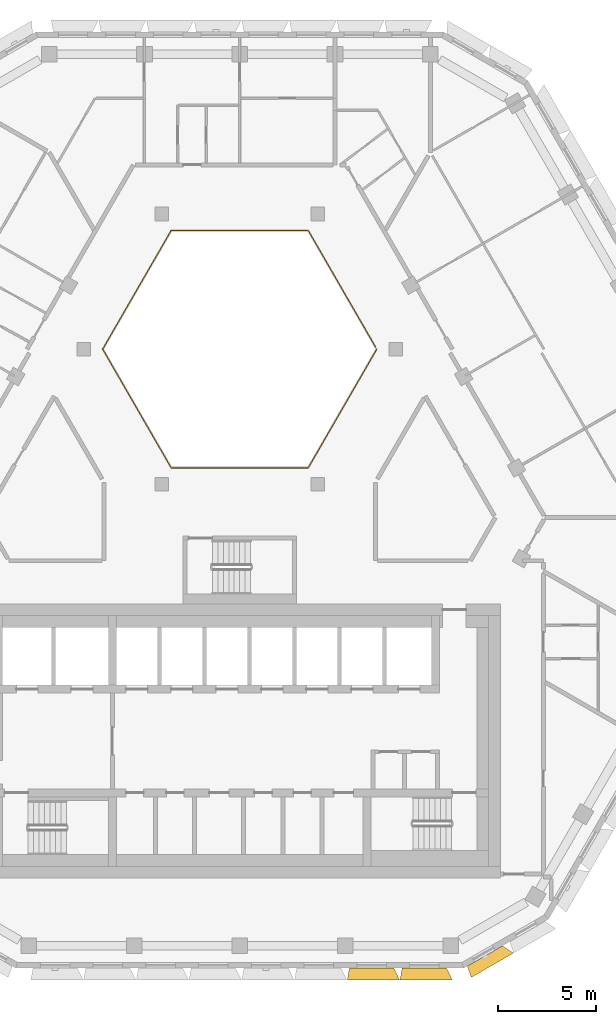
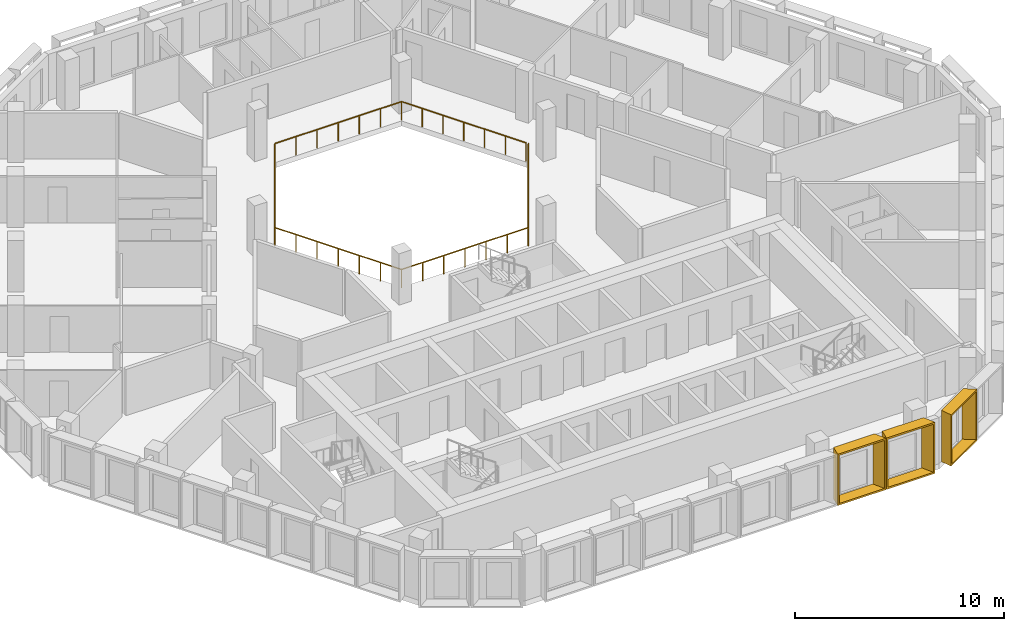
# One storey, part 15 of 17: 3 shading devices, 1 railing.
"""IFC4 building model written with IfcOpenShell, lengths in metres."""

from ifc_helpers import new_model, entity, si_unit, direction, frame, origin, origin_2d, place, context, subcontext, project, spatial, rectangle, extrude, source, transform, mapped, material, type_object, type_shapes, element, save


model = new_model("IFC4")

# Units and contexts
model_context = context("Model", 3, precision=1e-05, world=origin(), true_north=direction((0.0, 1.0)))
body_context = subcontext(model_context, "Body", "Model", "MODEL_VIEW")
ifc_project = project(units=[si_unit("LENGTHUNIT", "METRE"), si_unit("AREAUNIT", "SQUARE_METRE"), si_unit("VOLUMEUNIT", "CUBIC_METRE"), si_unit("PLANEANGLEUNIT", "RADIAN"), si_unit("MASSUNIT", "GRAM", prefix="KILO")], contexts=[model_context])

# Site, building, storey
site_placement = place(None, origin())
site = spatial("IfcSite", under=ifc_project, at=site_placement, CompositionType="ELEMENT")
building_placement = place(site_placement, origin())
building = spatial("IfcBuilding", under=site, at=building_placement, Name="Beryl Residences", CompositionType="ELEMENT")
storey_placement = place(building_placement, frame((0.0, 0.0, 172.199951171875)))
storey = spatial("IfcBuildingStorey", under=building, at=storey_placement, Name="L52", CompositionType="ELEMENT", Elevation=172.199951171875)

# Railing
ifc_material_1 = material(Name="Stainless steel balustrade with glass infill", Category="steel")
railing_type = type_object("IfcRailingType", Name="EG1 edge guard 1100 mm", PredefinedType="GUARDRAIL", material=ifc_material_1)
railing_placement = place(storey_placement, frame((6.9970703125, 8.0, 0.0)))
element("IfcRailing", 1, at=railing_placement, inside=storey, type_object=railing_type, Name="L52 atrium guard", PredefinedType="GUARDRAIL", context=body_context, shape_type="SweptSolid", body=[
    extrude(rectangle(XDim=0.048095703125, YDim=0.048095703125, at=origin_2d()), frame((0.0, 0.0, 1.076171875), z_axis=(-0.499921796684, -0.866070549782, 0.0), x_axis=(0.866070549782, -0.499921796684, 0.0)), (0.0, 0.0, 1.0), 6.9970703125),
    extrude(rectangle(XDim=0.048095703125, YDim=0.048095703125, at=origin_2d()), frame((-3.498046875, -6.06005859375, 1.076171875), z_axis=(-1.0, 0.0, 0.0), x_axis=(0.0, -1.0, 0.0)), (0.0, 0.0, 1.0), 6.998046875),
    extrude(rectangle(XDim=0.048095703125, YDim=0.048095703125, at=origin_2d()), frame((-10.49609375, -6.06005859375, 1.076171875), z_axis=(-0.499921796684, 0.866070549782, 0.0), x_axis=(-0.866070549782, -0.499921796684, 0.0)), (0.0, 0.0, 1.0), 6.9970703125),
    extrude(rectangle(XDim=0.048095703125, YDim=0.048095703125, at=origin_2d()), frame((-13.994140625, 0.0, 1.076171875), z_axis=(0.499921796684, 0.866070549782, 0.0), x_axis=(-0.866070549782, 0.499921796684, 0.0)), (0.0, 0.0, 1.0), 6.9970703125),
    extrude(rectangle(XDim=0.048095703125, YDim=0.048095703125, at=origin_2d()), frame((-10.49609375, 6.06005859375, 1.076171875), z_axis=(1.0, 0.0, 0.0), x_axis=(0.0, 1.0, 0.0)), (0.0, 0.0, 1.0), 6.998046875),
    extrude(rectangle(XDim=0.048095703125, YDim=0.048095703125, at=origin_2d()), frame((-3.498046875, 6.06005859375, 1.076171875), z_axis=(0.499919131929, -0.866072087953, 0.0), x_axis=(0.866072087953, 0.499919131929, 0.0)), (0.0, 0.0, 1.0), 6.877197265625),
    extrude(rectangle(XDim=0.0419921875, YDim=0.0419921875, at=origin_2d()), origin(), (0.0, 0.0, 1.0), 1.052001953125),
    extrude(rectangle(XDim=0.0419921875, YDim=0.0419921875, at=origin_2d()), frame((-0.5830078125, -1.010009765625, 0.0)), (0.0, 0.0, 1.0), 1.052001953125),
    extrude(rectangle(XDim=0.0419921875, YDim=0.0419921875, at=origin_2d()), frame((-1.166015625, -2.02001953125, 0.0)), (0.0, 0.0, 1.0), 1.052001953125),
    extrude(rectangle(XDim=0.0419921875, YDim=0.0419921875, at=origin_2d()), frame((-1.7490234375, -3.030029296875, 0.0)), (0.0, 0.0, 1.0), 1.052001953125),
    extrude(rectangle(XDim=0.0419921875, YDim=0.0419921875, at=origin_2d()), frame((-2.33203125, -4.0400390625, 0.0)), (0.0, 0.0, 1.0), 1.052001953125),
    extrude(rectangle(XDim=0.0419921875, YDim=0.0419921875, at=origin_2d()), frame((-2.9150390625, -5.050048828125, 0.0)), (0.0, 0.0, 1.0), 1.052001953125),
    extrude(rectangle(XDim=0.0419921875, YDim=0.0419921875, at=origin_2d()), frame((-3.498046875, -6.06005859375, 0.0)), (0.0, 0.0, 1.0), 1.052001953125),
    extrude(rectangle(XDim=0.0419921875, YDim=0.0419921875, at=origin_2d()), frame((-4.664306640625, -6.06005859375, 0.0)), (0.0, 0.0, 1.0), 1.052001953125),
    extrude(rectangle(XDim=0.0419921875, YDim=0.0419921875, at=origin_2d()), frame((-5.830810546875, -6.06005859375, 0.0)), (0.0, 0.0, 1.0), 1.052001953125),
    extrude(rectangle(XDim=0.0419921875, YDim=0.0419921875, at=origin_2d()), frame((-6.9970703125, -6.06005859375, 0.0)), (0.0, 0.0, 1.0), 1.052001953125),
    extrude(rectangle(XDim=0.0419921875, YDim=0.0419921875, at=origin_2d()), frame((-8.163330078125, -6.06005859375, 0.0)), (0.0, 0.0, 1.0), 1.052001953125),
    extrude(rectangle(XDim=0.0419921875, YDim=0.0419921875, at=origin_2d()), frame((-9.329833984375, -6.06005859375, 0.0)), (0.0, 0.0, 1.0), 1.052001953125),
    extrude(rectangle(XDim=0.0419921875, YDim=0.0419921875, at=origin_2d()), frame((-10.49609375, -6.06005859375, 0.0)), (0.0, 0.0, 1.0), 1.052001953125),
    extrude(rectangle(XDim=0.0419921875, YDim=0.0419921875, at=origin_2d()), frame((-11.0791015625, -5.050048828125, 0.0)), (0.0, 0.0, 1.0), 1.052001953125),
    extrude(rectangle(XDim=0.0419921875, YDim=0.0419921875, at=origin_2d()), frame((-11.662109375, -4.0400390625, 0.0)), (0.0, 0.0, 1.0), 1.052001953125),
    extrude(rectangle(XDim=0.0419921875, YDim=0.0419921875, at=origin_2d()), frame((-12.2451171875, -3.030029296875, 0.0)), (0.0, 0.0, 1.0), 1.052001953125),
    extrude(rectangle(XDim=0.0419921875, YDim=0.0419921875, at=origin_2d()), frame((-12.828125, -2.02001953125, 0.0)), (0.0, 0.0, 1.0), 1.052001953125),
    extrude(rectangle(XDim=0.0419921875, YDim=0.0419921875, at=origin_2d()), frame((-13.4111328125, -1.010009765625, 0.0)), (0.0, 0.0, 1.0), 1.052001953125),
    extrude(rectangle(XDim=0.0419921875, YDim=0.0419921875, at=origin_2d()), frame((-13.994140625, 0.0, 0.0)), (0.0, 0.0, 1.0), 1.052001953125),
    extrude(rectangle(XDim=0.0419921875, YDim=0.0419921875, at=origin_2d()), frame((-13.4111328125, 1.010009765625, 0.0)), (0.0, 0.0, 1.0), 1.052001953125),
    extrude(rectangle(XDim=0.0419921875, YDim=0.0419921875, at=origin_2d()), frame((-12.828125, 2.02001953125, 0.0)), (0.0, 0.0, 1.0), 1.052001953125),
    extrude(rectangle(XDim=0.0419921875, YDim=0.0419921875, at=origin_2d()), frame((-12.2451171875, 3.030029296875, 0.0)), (0.0, 0.0, 1.0), 1.052001953125),
    extrude(rectangle(XDim=0.0419921875, YDim=0.0419921875, at=origin_2d()), frame((-11.662109375, 4.0400390625, 0.0)), (0.0, 0.0, 1.0), 1.052001953125),
    extrude(rectangle(XDim=0.0419921875, YDim=0.0419921875, at=origin_2d()), frame((-11.0791015625, 5.050048828125, 0.0)), (0.0, 0.0, 1.0), 1.052001953125),
    extrude(rectangle(XDim=0.0419921875, YDim=0.0419921875, at=origin_2d()), frame((-10.49609375, 6.06005859375, 0.0)), (0.0, 0.0, 1.0), 1.052001953125),
    extrude(rectangle(XDim=0.0419921875, YDim=0.0419921875, at=origin_2d()), frame((-9.329833984375, 6.06005859375, 0.0)), (0.0, 0.0, 1.0), 1.052001953125),
    extrude(rectangle(XDim=0.0419921875, YDim=0.0419921875, at=origin_2d()), frame((-8.163330078125, 6.06005859375, 0.0)), (0.0, 0.0, 1.0), 1.052001953125),
    extrude(rectangle(XDim=0.0419921875, YDim=0.0419921875, at=origin_2d()), frame((-6.9970703125, 6.06005859375, 0.0)), (0.0, 0.0, 1.0), 1.052001953125),
    extrude(rectangle(XDim=0.0419921875, YDim=0.0419921875, at=origin_2d()), frame((-5.830810546875, 6.06005859375, 0.0)), (0.0, 0.0, 1.0), 1.052001953125),
    extrude(rectangle(XDim=0.0419921875, YDim=0.0419921875, at=origin_2d()), frame((-4.664306640625, 6.06005859375, 0.0)), (0.0, 0.0, 1.0), 1.052001953125),
    extrude(rectangle(XDim=0.0419921875, YDim=0.0419921875, at=origin_2d()), frame((-3.498046875, 6.06005859375, 0.0)), (0.0, 0.0, 1.0), 1.052001953125),
    extrude(rectangle(XDim=0.0419921875, YDim=0.0419921875, at=origin_2d()), frame((-2.925048828125, 5.0673828125, 0.0)), (0.0, 0.0, 1.0), 1.052001953125),
    extrude(rectangle(XDim=0.0419921875, YDim=0.0419921875, at=origin_2d()), frame((-2.35205078125, 4.07470703125, 0.0)), (0.0, 0.0, 1.0), 1.052001953125),
    extrude(rectangle(XDim=0.0419921875, YDim=0.0419921875, at=origin_2d()), frame((-1.779052734375, 3.08203125, 0.0)), (0.0, 0.0, 1.0), 1.052001953125),
    extrude(rectangle(XDim=0.0419921875, YDim=0.0419921875, at=origin_2d()), frame((-1.2060546875, 2.08935546875, 0.0)), (0.0, 0.0, 1.0), 1.052001953125),
    extrude(rectangle(XDim=0.0419921875, YDim=0.0419921875, at=origin_2d()), frame((-0.633056640625, 1.0966796875, 0.0)), (0.0, 0.0, 1.0), 1.052001953125),
    extrude(rectangle(XDim=0.0419921875, YDim=0.0419921875, at=origin_2d()), frame((-0.06005859375, 0.10400390625, 0.0)), (0.0, 0.0, 1.0), 1.052001953125),
])

# Shading devices
ifc_material_2 = material(Name="Aluminium pale anodised", Category="aluminium")
shading_device_type_1 = type_object("IfcShadingDeviceType", Name="FR250-60C OUTER SKIN frame 600 mm deep, splay 10/26 deg, 2500 x 3000 mm cell", PredefinedType="USERDEFINED", material=ifc_material_2)
cartesian_point_1 = entity("IfcCartesianPoint", [-1.04052734375, 0.0])
cartesian_point_2 = entity("IfcCartesianPoint", [-0.959228515625, 0.10009765625])
cartesian_point_3 = entity("IfcCartesianPoint", [-1.146240234375, 0.0])
cartesian_point_4 = entity("IfcCartesianPoint", [-1.06494140625, 0.10009765625])
shared_shape_1 = source(origin(), body_context, "Body", "SweptSolid", [
    entity("IfcExtrudedAreaSolidTapered", entity("IfcArbitraryProfileDefWithVoids", "AREA", None, entity("IfcPolyline", [cartesian_point_1, entity("IfcCartesianPoint", [1.04052734375, 0.0]), entity("IfcCartesianPoint", [1.04052734375, 3.0]), entity("IfcCartesianPoint", [-1.04052734375, 3.0]), cartesian_point_1]), [entity("IfcPolyline", [cartesian_point_2, entity("IfcCartesianPoint", [0.951416015625, 0.10009765625]), entity("IfcCartesianPoint", [0.951416015625, 2.89990234375]), entity("IfcCartesianPoint", [-0.959228515625, 2.89990234375]), cartesian_point_2])]), entity("IfcAxis2Placement3D", entity("IfcCartesianPoint", [0.0, 0.0, 0.0]), entity("IfcDirection", [0.0, 1.0, 0.0]), entity("IfcDirection", [-1.0, 0.0, 0.0])), entity("IfcDirection", [0.0, 0.0, 1.0]), 0.60009765625, entity("IfcArbitraryProfileDefWithVoids", "AREA", None, entity("IfcPolyline", [cartesian_point_3, entity("IfcCartesianPoint", [1.333251953125, 0.0]), entity("IfcCartesianPoint", [1.333251953125, 3.0]), entity("IfcCartesianPoint", [-1.146240234375, 3.0]), cartesian_point_3]), [entity("IfcPolyline", [cartesian_point_4, entity("IfcCartesianPoint", [1.244140625, 0.10009765625]), entity("IfcCartesianPoint", [1.244140625, 2.89990234375]), entity("IfcCartesianPoint", [-1.06494140625, 2.89990234375]), cartesian_point_4])])),
])
type_shapes(shading_device_type_1, [shared_shape_1])
shading_device_placement = place(storey_placement, frame((12.513916015625, -22.97509765625, 0.0), z_axis=(0.0, 0.0, 1.0), x_axis=(-0.866025403784, -0.5, 0.0)))
element("IfcShadingDevice", 2, at=shading_device_placement, inside=storey, type_object=shading_device_type_1, Name="FR250-60C frame L52 S-SE 1", ObjectType="OUTER SKIN", PredefinedType="USERDEFINED", context=body_context, shape_type="MappedRepresentation", body=[
    mapped(shared_shape_1, transform((0.0, 0.0, 0.0))),
])
ifc_material_3 = material(Name="Aluminium pale anodised", Category="aluminium")
shading_device_type_2 = type_object("IfcShadingDeviceType", Name="FR269-60C OUTER SKIN frame 600 mm deep, splay 10/26 deg, 2690 x 3000 mm cell", PredefinedType="USERDEFINED", material=ifc_material_3)
cartesian_point_5 = entity("IfcCartesianPoint", [-1.135498046875, 0.0])
cartesian_point_6 = entity("IfcCartesianPoint", [-1.05419921875, 0.10009765625])
cartesian_point_7 = entity("IfcCartesianPoint", [-1.2412109375, 0.0])
cartesian_point_8 = entity("IfcCartesianPoint", [-1.16015625, 0.10009765625])
shared_shape_2 = source(origin(), body_context, "Body", "SweptSolid", [
    entity("IfcExtrudedAreaSolidTapered", entity("IfcArbitraryProfileDefWithVoids", "AREA", None, entity("IfcPolyline", [cartesian_point_5, entity("IfcCartesianPoint", [1.135498046875, 0.0]), entity("IfcCartesianPoint", [1.135498046875, 3.0]), entity("IfcCartesianPoint", [-1.135498046875, 3.0]), cartesian_point_5]), [entity("IfcPolyline", [cartesian_point_6, entity("IfcCartesianPoint", [1.04638671875, 0.10009765625]), entity("IfcCartesianPoint", [1.04638671875, 2.89990234375]), entity("IfcCartesianPoint", [-1.05419921875, 2.89990234375]), cartesian_point_6])]), entity("IfcAxis2Placement3D", entity("IfcCartesianPoint", [0.0, 0.0, 0.0]), entity("IfcDirection", [0.0, 1.0, 0.0]), entity("IfcDirection", [-1.0, 0.0, 0.0])), entity("IfcDirection", [0.0, 0.0, 1.0]), 0.60009765625, entity("IfcArbitraryProfileDefWithVoids", "AREA", None, entity("IfcPolyline", [cartesian_point_7, entity("IfcCartesianPoint", [1.42822265625, 0.0]), entity("IfcCartesianPoint", [1.42822265625, 3.0]), entity("IfcCartesianPoint", [-1.2412109375, 3.0]), cartesian_point_7]), [entity("IfcPolyline", [cartesian_point_8, entity("IfcCartesianPoint", [1.339111328125, 0.10009765625]), entity("IfcCartesianPoint", [1.339111328125, 2.89990234375]), entity("IfcCartesianPoint", [-1.16015625, 2.89990234375]), cartesian_point_8])])),
])
type_shapes(shading_device_type_2, [shared_shape_2])
for number, where, z_axis, x_axis, name in (
    (3, (6.73095703125, -23.60009765625, 0.0), (0.0, 0.0, 1.0), (-1.0, 0.0, 0.0), "FR269-60C frame L52 S 7"),
    (4, (9.423095703125, -23.60009765625, 0.0), (0.0, 0.0, 1.0), (-1.0, 0.0, 0.0), "FR269-60C frame L52 S 8"),
):
    element("IfcShadingDevice", number, at=place(storey_placement, frame(where, z_axis=z_axis, x_axis=x_axis)), inside=storey, type_object=shading_device_type_2, Name=name, ObjectType="OUTER SKIN", PredefinedType="USERDEFINED", context=body_context, shape_type="MappedRepresentation", body=[
        mapped(shared_shape_2, transform((0.0, 0.0, 0.0))),
    ])

save(model, "model.ifc")
